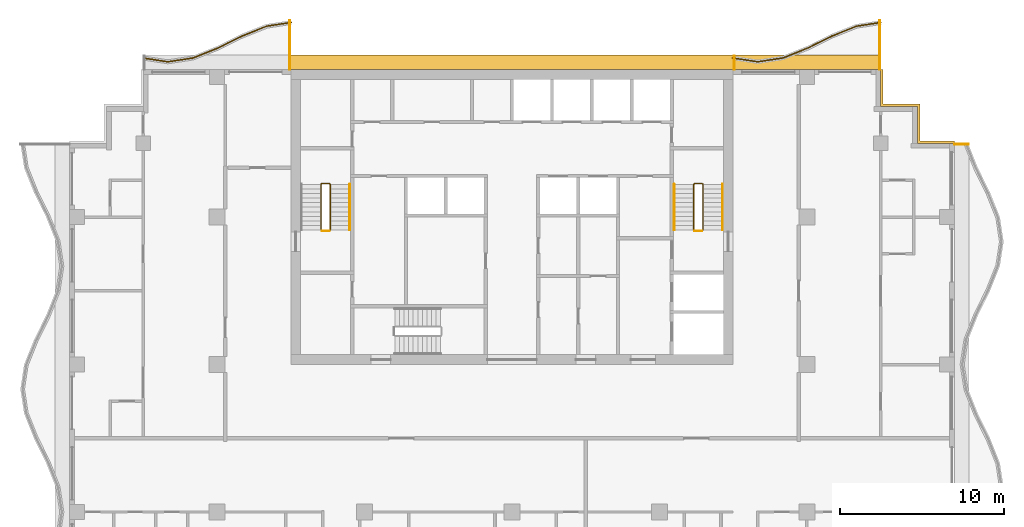
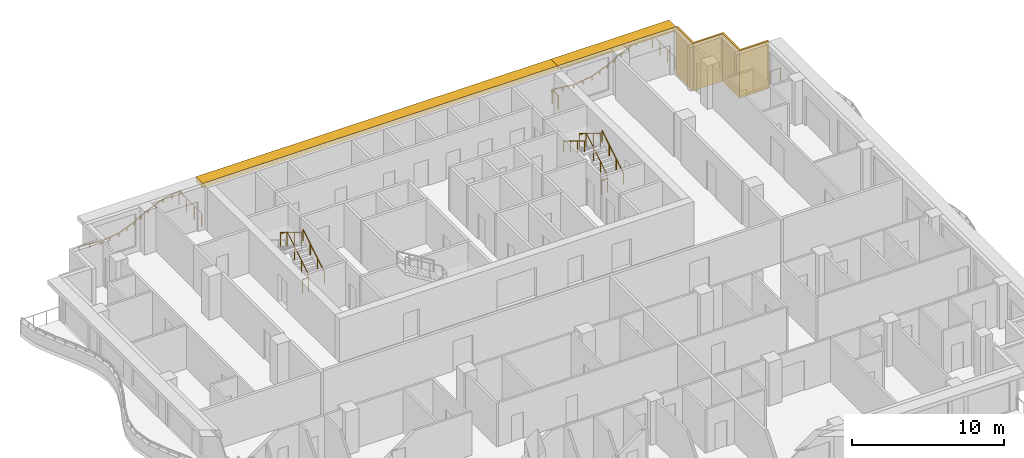
# One storey, part 11 of 11: 13 railings, 3 shading devices.
"""IFC4 building model written with IfcOpenShell, lengths in metres."""

import ifcopenshell
import ifcopenshell.guid

model = None  # the IFC model being written
_history = None  # IfcOwnerHistory: only IFC2X3 demands one
_inside = {}  # id of a spatial element -> (the spatial element, [elements in it])
_under = {}  # id of a project, library or spatial element -> (it, [spatial elements below it])
_declared = {}  # id of a project -> (the project, [libraries it declares])
_typed = {}  # id of a type object -> (the type object, [elements of that type])
_made_of = {}  # id of a material, layer set ... -> (it, [elements and type objects made of it])


def new_model(schema):
    """Start an empty IFC model of exactly this schema.

    Asked for "IFC4X3", IfcOpenShell would pick the latest addendum, in which some entities
    have other attributes; the version numbers below select the first issue.
    IFC2X3 requires an IfcOwnerHistory on every rooted entity: one is made here for all.
    """
    global model, _history
    if schema == "IFC4X3":
        model = ifcopenshell.file(schema_version=(4, 3, 0, 0))
    else:
        model = ifcopenshell.file(schema=schema)
    _inside.clear()
    _under.clear()
    _declared.clear()
    _typed.clear()
    _made_of.clear()
    _history = None
    if model.schema == "IFC2X3":
        org = make("IfcOrganization", Name="unknown")
        user = make(
            "IfcPersonAndOrganization",
            ThePerson=make("IfcPerson", FamilyName="unknown"),
            TheOrganization=org,
        )
        app = make(
            "IfcApplication",
            ApplicationDeveloper=org,
            Version="unknown",
            ApplicationFullName="unknown",
            ApplicationIdentifier="unknown",
        )
        _history = make(
            "IfcOwnerHistory",
            OwningUser=user,
            OwningApplication=app,
            ChangeAction="ADDED",
            CreationDate=0,
        )
    return model


def make(cls, **values):
    """One entity of the class cls with the attributes given. An attribute that is None is left unset."""
    return model.create_entity(
        cls, **{name: value for name, value in values.items() if value is not None}
    )


def rooted(cls, **values):
    """An entity with a GlobalId (a new one), such as an element, a storey or a relation."""
    return make(cls, GlobalId=ifcopenshell.guid.new(), OwnerHistory=_history, **values)


def si_unit(unit_type, name, prefix=None):
    """IfcSIUnit, for example si_unit("LENGTHUNIT", "METRE", prefix="MILLI")."""
    return make("IfcSIUnit", UnitType=unit_type, Prefix=prefix, Name=name)


def assignment(units):
    """IfcUnitAssignment: the units of a project."""
    return None if units is None else make("IfcUnitAssignment", Units=units)


def point(xyz):
    """IfcCartesianPoint."""
    return None if xyz is None else make("IfcCartesianPoint", Coordinates=xyz)


def direction(xyz):
    """IfcDirection."""
    return None if xyz is None else make("IfcDirection", DirectionRatios=xyz)


def frame(location, z_axis=None, x_axis=None):
    """IfcAxis2Placement3D, a coordinate frame: its origin and axes. An axis left out is left unset."""
    return make(
        "IfcAxis2Placement3D",
        Location=point(location),
        Axis=direction(z_axis),
        RefDirection=direction(x_axis),
    )


def frame_2d(location, x_axis=None):
    """IfcAxis2Placement2D, a coordinate frame in the plane: its origin and x axis."""
    return make(
        "IfcAxis2Placement2D", Location=point(location), RefDirection=direction(x_axis)
    )


def origin():
    """The frame at (0, 0, 0) with its axes left unset."""
    return frame((0.0, 0.0, 0.0))


def origin_2d():
    """The frame at (0, 0) in the plane with its x axis left unset."""
    return frame_2d((0.0, 0.0))


def place(relative_to, where):
    """IfcLocalPlacement: puts the frame where relative to a parent placement (None: the world)."""
    return make(
        "IfcLocalPlacement", PlacementRelTo=relative_to, RelativePlacement=where
    )


def context(
    kind, dimensions, precision=None, world=None, true_north=None, identifier=None
):
    """IfcGeometricRepresentationContext, for example the 3D "Model" context."""
    return make(
        "IfcGeometricRepresentationContext",
        ContextIdentifier=identifier,
        ContextType=kind,
        CoordinateSpaceDimension=dimensions,
        Precision=precision,
        WorldCoordinateSystem=world,
        TrueNorth=true_north,
    )


def subcontext(parent, identifier, kind, view, scale=None):
    """IfcGeometricRepresentationSubContext, for example "Body" below "Model"."""
    return make(
        "IfcGeometricRepresentationSubContext",
        ContextIdentifier=identifier,
        ContextType=kind,
        ParentContext=parent,
        TargetScale=scale,
        TargetView=view,
    )


def project(units=None, contexts=None):
    """IfcProject with its units and contexts."""
    return rooted(
        "IfcProject",
        Name="project",
        RepresentationContexts=contexts,
        UnitsInContext=assignment(units),
    )


def spatial(cls, under=None, at=None, **own):
    """A site, building, storey or space (cls), placed at a placement, below another one or the project."""
    s = rooted(cls, ObjectPlacement=at, **own)
    if under is not None:
        _under.setdefault(under.id(), (under, []))[1].append(s)
    return s


def polyline(points):
    """IfcPolyline through the points."""
    return make("IfcPolyline", Points=[point(p) for p in points])


def profile(cls, at=None, kind="AREA", **sizes):
    """A parametric profile (cls). Its sizes go by their IFC names, for example OverallWidth=200.0."""
    return make(cls, ProfileType=kind, Position=at, **sizes)


def rectangle(**sizes):
    """IfcRectangleProfileDef."""
    return profile("IfcRectangleProfileDef", **sizes)


def circle(**sizes):
    """IfcCircleProfileDef."""
    return profile("IfcCircleProfileDef", **sizes)


def outline(outer, holes=None, kind="AREA"):
    """IfcArbitraryClosedProfileDef: a profile drawn as a closed curve; with holes, ...WithVoids."""
    if holes is None:
        return make("IfcArbitraryClosedProfileDef", ProfileType=kind, OuterCurve=outer)
    return make(
        "IfcArbitraryProfileDefWithVoids",
        ProfileType=kind,
        OuterCurve=outer,
        InnerCurves=holes,
    )


def extrude(swept, where, along, depth):
    """IfcExtrudedAreaSolid: the profile swept, set in the frame where, extruded along a direction by depth."""
    return make(
        "IfcExtrudedAreaSolid",
        SweptArea=swept,
        Position=where,
        ExtrudedDirection=direction(along),
        Depth=depth,
    )


def shape(context_of_items, identifier, shape_type, items):
    """IfcShapeRepresentation: the items that make up one representation, for example the "Body"."""
    return make(
        "IfcShapeRepresentation",
        ContextOfItems=context_of_items,
        RepresentationIdentifier=identifier,
        RepresentationType=shape_type,
        Items=items,
    )


def material(Name=None, Category=None):
    """IfcMaterial."""
    return make("IfcMaterial", Name=Name, Category=Category)


def layer(
    of_material, thickness, ventilated=None, Name=None, Category=None, Priority=None
):
    """IfcMaterialLayer: one layer of a wall or slab, of a material (None: an air gap)."""
    return make(
        "IfcMaterialLayer",
        Material=of_material,
        LayerThickness=thickness,
        IsVentilated=ventilated,
        Name=Name,
        Category=Category,
        Priority=Priority,
    )


def layer_set(layers, Name=None):
    """IfcMaterialLayerSet."""
    return make("IfcMaterialLayerSet", MaterialLayers=layers, LayerSetName=Name)


def made_of(thing, what):
    """Note that an element or type object is made of a material, layer set ...; save() writes the relation."""
    if what is not None:
        _made_of.setdefault(what.id(), (what, []))[1].append(thing)
    return thing


def type_object(cls, material=None, **own):
    """A type object (cls), such as IfcWallType, which elements share."""
    return made_of(rooted(cls, **own), material)


def element(
    cls,
    number,
    at=None,
    inside=None,
    cuts=None,
    type_object=None,
    material=None,
    context=None,
    identifier="Body",
    shape_type=None,
    held_by="IfcProductDefinitionShape",
    body=None,
    shapes=None,
    **own,
):
    """One element of the class cls, such as IfcWall. Its Tag is "e" and its number.

    at: its placement. inside: the storey or other place that contains it. cuts: it is an
    opening in that element (IfcRelVoidsElement). A single representation is given by context,
    identifier, shape_type and body (its items); several are given by shapes. held_by: the class
    of the entity that holds the representations. save() writes the other relations.
    """
    e = rooted(cls, Tag="e%d" % number, ObjectPlacement=at, **own)
    if body is not None:
        shapes = [shape(context, identifier, shape_type, body)]
    if shapes is not None:
        e.Representation = make(held_by, Representations=shapes)
    if inside is not None:
        _inside.setdefault(inside.id(), (inside, []))[1].append(e)
    if cuts is not None:
        rooted(
            "IfcRelVoidsElement", RelatingBuildingElement=cuts, RelatedOpeningElement=e
        )
    if type_object is not None:
        _typed.setdefault(type_object.id(), (type_object, []))[1].append(e)
    return made_of(e, material)


def aggregate(whole, parts):
    """IfcRelAggregates: a whole, such as a stair, and the parts it consists of."""
    return rooted("IfcRelAggregates", RelatingObject=whole, RelatedObjects=parts)


def save(model, path):
    """Write the relations noted so far, then the file.

    IfcRelAggregates (storeys below a building ...), IfcRelContainedInSpatialStructure (elements
    in a storey), IfcRelDefinesByType, IfcRelAssociatesMaterial and IfcRelDeclares: one each for
    every whole, place, type object, material and project.
    """
    for whole, parts in _under.values():
        aggregate(whole, parts)
    for where, things in _inside.values():
        rooted(
            "IfcRelContainedInSpatialStructure",
            RelatedElements=things,
            RelatingStructure=where,
        )
    for kind, things in _typed.values():
        rooted("IfcRelDefinesByType", RelatedObjects=things, RelatingType=kind)
    for what, things in _made_of.values():
        rooted("IfcRelAssociatesMaterial", RelatedObjects=things, RelatingMaterial=what)
    for by, libraries in _declared.values():
        rooted("IfcRelDeclares", RelatingContext=by, RelatedDefinitions=libraries)
    model.write(path)


model = new_model("IFC4")

# Units and contexts
model_context = context("Model", 3, precision=1e-05, world=origin(), true_north=direction((0.0, 1.0)))
body_context = subcontext(model_context, "Body", "Model", "MODEL_VIEW")
ifc_project = project(units=[si_unit("LENGTHUNIT", "METRE"), si_unit("AREAUNIT", "SQUARE_METRE"), si_unit("VOLUMEUNIT", "CUBIC_METRE"), si_unit("PLANEANGLEUNIT", "RADIAN"), si_unit("MASSUNIT", "GRAM", prefix="KILO")], contexts=[model_context])

# Site, building, storey
site_placement = place(None, origin())
site = spatial("IfcSite", under=ifc_project, at=site_placement, CompositionType="ELEMENT")
building_placement = place(site_placement, origin())
building = spatial("IfcBuilding", under=site, at=building_placement, Name="Orbiselva Terraces", CompositionType="ELEMENT")
storey_placement = place(building_placement, frame((0.0, 0.0, 250.2)))
storey = spatial("IfcBuildingStorey", under=building, at=storey_placement, Name="L63", CompositionType="ELEMENT", Elevation=250.2)

# Railings
ifc_material_1 = material(Name="Stainless steel", Category="steel")
railing_type_1 = type_object("IfcRailingType", Name="CORE-GUARD-1100", PredefinedType="GUARDRAIL", material=ifc_material_1)
railing_1_placement = place(storey_placement, frame((-11.1, 12.7, 0.172727)))
element("IfcRailing", 1, at=railing_1_placement, inside=storey, type_object=railing_type_1, Name="L63 S1 stair guard 1", PredefinedType="GUARDRAIL", context=body_context, shape_type="SweptSolid", body=[
    extrude(circle(Radius=0.024, at=origin_2d()), frame((0.0, 0.0, 1.081), z_axis=(0.0, 0.851088519012, 0.52502222125), x_axis=(-1.0, 0.0, 0.0)), (0.0, 0.0, 1.0), 3.289905),
    extrude(circle(Radius=0.024, at=origin_2d()), frame((0.0, 2.8, 2.808273), z_axis=(-0.707106781187, 0.707106781187, 0.0), x_axis=(-0.707106781187, -0.707106781187, 0.0)), (0.0, 0.0, 1.0), 0.070711),
    extrude(circle(Radius=0.024, at=origin_2d()), frame((-0.05, 2.85, 2.808273), z_axis=(-1.0, 0.0, 0.0), x_axis=(0.0, -1.0, 0.0)), (0.0, 0.0, 1.0), 0.45),
    extrude(circle(Radius=0.024, at=origin_2d()), frame((-0.5, 2.85, 2.808273), z_axis=(-0.267894925557, -0.267894925557, 0.925453736133), x_axis=(0.707106781187, -0.707106781187, 0.0)), (0.0, 0.0, 1.0), 0.18664),
    extrude(circle(Radius=0.024, at=origin_2d()), frame((-0.55, 2.8, 2.981), z_axis=(0.0, -0.851088519012, 0.52502222125), x_axis=(1.0, 0.0, 0.0)), (0.0, 0.0, 1.0), 3.289905),
    extrude(circle(Radius=0.021, at=origin_2d()), origin(), (0.0, 0.0, 1.0), 1.057),
    extrude(circle(Radius=0.021, at=origin_2d()), frame((0.0, 0.933333, 0.575758)), (0.0, 0.0, 1.0), 1.057),
    extrude(circle(Radius=0.021, at=origin_2d()), frame((0.0, 1.866667, 1.151515)), (0.0, 0.0, 1.0), 1.057),
    extrude(circle(Radius=0.021, at=origin_2d()), frame((0.0, 2.8, 1.727273)), (0.0, 0.0, 1.0), 1.057),
    extrude(circle(Radius=0.021, at=origin_2d()), frame((-0.05, 2.85, 1.727273)), (0.0, 0.0, 1.0), 1.057),
    extrude(circle(Radius=0.021, at=origin_2d()), frame((-0.5, 2.85, 1.727273)), (0.0, 0.0, 1.0), 1.057),
    extrude(circle(Radius=0.021, at=origin_2d()), frame((-0.55, 2.8, 1.9)), (0.0, 0.0, 1.0), 1.057),
    extrude(circle(Radius=0.021, at=origin_2d()), frame((-0.55, 1.866667, 2.475758)), (0.0, 0.0, 1.0), 1.057),
    extrude(circle(Radius=0.021, at=origin_2d()), frame((-0.55, 0.933333, 3.051515)), (0.0, 0.0, 1.0), 1.057),
    extrude(circle(Radius=0.021, at=origin_2d()), frame((-0.55, 0.0, 3.627273)), (0.0, 0.0, 1.0), 1.057),
])
railing_2_placement = place(storey_placement, frame((-11.15, 12.65, 0.0)))
element("IfcRailing", 2, at=railing_2_placement, inside=storey, type_object=railing_type_1, Name="L63 S1 stair guard 2", PredefinedType="GUARDRAIL", context=body_context, shape_type="SweptSolid", body=[
    extrude(circle(Radius=0.024, at=origin_2d()), frame((0.0, 0.0, 1.081), z_axis=(-1.0, 0.0, 0.0), x_axis=(0.0, -1.0, 0.0)), (0.0, 0.0, 1.0), 0.45),
    extrude(circle(Radius=0.021, at=origin_2d()), origin(), (0.0, 0.0, 1.0), 1.057),
    extrude(circle(Radius=0.021, at=origin_2d()), frame((-0.45, 0.0, 0.0)), (0.0, 0.0, 1.0), 1.057),
])
railing_3_placement = place(storey_placement, frame((11.65, 12.7, 0.172727)))
element("IfcRailing", 3, at=railing_3_placement, inside=storey, type_object=railing_type_1, Name="L63 S2 stair guard 1", PredefinedType="GUARDRAIL", context=body_context, shape_type="SweptSolid", body=[
    extrude(circle(Radius=0.024, at=origin_2d()), frame((0.0, 0.0, 1.081), z_axis=(0.0, 0.851088519012, 0.52502222125), x_axis=(-1.0, 0.0, 0.0)), (0.0, 0.0, 1.0), 3.289905),
    extrude(circle(Radius=0.024, at=origin_2d()), frame((0.0, 2.8, 2.808273), z_axis=(-0.707106781187, 0.707106781187, 0.0), x_axis=(-0.707106781187, -0.707106781187, 0.0)), (0.0, 0.0, 1.0), 0.070711),
    extrude(circle(Radius=0.024, at=origin_2d()), frame((-0.05, 2.85, 2.808273), z_axis=(-1.0, 0.0, 0.0), x_axis=(0.0, -1.0, 0.0)), (0.0, 0.0, 1.0), 0.45),
    extrude(circle(Radius=0.024, at=origin_2d()), frame((-0.5, 2.85, 2.808273), z_axis=(-0.267894925557, -0.267894925557, 0.925453736133), x_axis=(0.707106781187, -0.707106781187, 0.0)), (0.0, 0.0, 1.0), 0.18664),
    extrude(circle(Radius=0.024, at=origin_2d()), frame((-0.55, 2.8, 2.981), z_axis=(0.0, -0.851088519012, 0.52502222125), x_axis=(1.0, 0.0, 0.0)), (0.0, 0.0, 1.0), 3.289905),
    extrude(circle(Radius=0.021, at=origin_2d()), origin(), (0.0, 0.0, 1.0), 1.057),
    extrude(circle(Radius=0.021, at=origin_2d()), frame((0.0, 0.933333, 0.575758)), (0.0, 0.0, 1.0), 1.057),
    extrude(circle(Radius=0.021, at=origin_2d()), frame((0.0, 1.866667, 1.151515)), (0.0, 0.0, 1.0), 1.057),
    extrude(circle(Radius=0.021, at=origin_2d()), frame((0.0, 2.8, 1.727273)), (0.0, 0.0, 1.0), 1.057),
    extrude(circle(Radius=0.021, at=origin_2d()), frame((-0.05, 2.85, 1.727273)), (0.0, 0.0, 1.0), 1.057),
    extrude(circle(Radius=0.021, at=origin_2d()), frame((-0.5, 2.85, 1.727273)), (0.0, 0.0, 1.0), 1.057),
    extrude(circle(Radius=0.021, at=origin_2d()), frame((-0.55, 2.8, 1.9)), (0.0, 0.0, 1.0), 1.057),
    extrude(circle(Radius=0.021, at=origin_2d()), frame((-0.55, 1.866667, 2.475758)), (0.0, 0.0, 1.0), 1.057),
    extrude(circle(Radius=0.021, at=origin_2d()), frame((-0.55, 0.933333, 3.051515)), (0.0, 0.0, 1.0), 1.057),
    extrude(circle(Radius=0.021, at=origin_2d()), frame((-0.55, 0.0, 3.627273)), (0.0, 0.0, 1.0), 1.057),
])
railing_4_placement = place(storey_placement, frame((11.6, 12.65, 0.0)))
element("IfcRailing", 4, at=railing_4_placement, inside=storey, type_object=railing_type_1, Name="L63 S2 stair guard 2", PredefinedType="GUARDRAIL", context=body_context, shape_type="SweptSolid", body=[
    extrude(circle(Radius=0.024, at=origin_2d()), frame((0.0, 0.0, 1.081), z_axis=(-1.0, 0.0, 0.0), x_axis=(0.0, -1.0, 0.0)), (0.0, 0.0, 1.0), 0.45),
    extrude(circle(Radius=0.021, at=origin_2d()), origin(), (0.0, 0.0, 1.0), 1.057),
    extrude(circle(Radius=0.021, at=origin_2d()), frame((-0.45, 0.0, 0.0)), (0.0, 0.0, 1.0), 1.057),
])
railing_type_2 = type_object("IfcRailingType", Name="CORE-HANDRAIL-900", PredefinedType="HANDRAIL", material=ifc_material_1)
for number, where, name in (
    (5, (-9.9, 12.7, 0.172727), "L63 S1 stair handrail 1"),
    (6, (12.85, 12.7, 0.172727), "L63 S2 stair handrail 1"),
):
    element("IfcRailing", number, at=place(storey_placement, frame(where)), inside=storey, type_object=railing_type_2, Name=name, PredefinedType="HANDRAIL", context=body_context, shape_type="SweptSolid", body=[
        extrude(circle(Radius=0.024, at=origin_2d()), frame((0.0, 0.0, 0.876), z_axis=(0.0, 0.851088519012, 0.52502222125), x_axis=(-1.0, 0.0, 0.0)), (0.0, 0.0, 1.0), 3.289905),
        extrude(circle(Radius=0.021, at=origin_2d()), origin(), (0.0, 0.0, 1.0), 0.852),
        extrude(circle(Radius=0.021, at=origin_2d()), frame((0.0, 0.933333, 0.575758)), (0.0, 0.0, 1.0), 0.852),
        extrude(circle(Radius=0.021, at=origin_2d()), frame((0.0, 1.866667, 1.151515)), (0.0, 0.0, 1.0), 0.852),
        extrude(circle(Radius=0.021, at=origin_2d()), frame((0.0, 2.8, 1.727273)), (0.0, 0.0, 1.0), 0.852),
    ])
railing_5_placement = place(storey_placement, frame((9.9, 15.5, 2.072727)))
element("IfcRailing", 7, at=railing_5_placement, inside=storey, type_object=railing_type_2, Name="L63 S2 stair handrail 2", PredefinedType="HANDRAIL", context=body_context, shape_type="SweptSolid", body=[
    extrude(circle(Radius=0.024, at=origin_2d()), frame((0.0, 0.0, 0.876), z_axis=(0.0, -0.851088519012, 0.52502222125), x_axis=(1.0, 0.0, 0.0)), (0.0, 0.0, 1.0), 3.289905),
    extrude(circle(Radius=0.021, at=origin_2d()), origin(), (0.0, 0.0, 1.0), 0.852),
    extrude(circle(Radius=0.021, at=origin_2d()), frame((0.0, -0.933333, 0.575758)), (0.0, 0.0, 1.0), 0.852),
    extrude(circle(Radius=0.021, at=origin_2d()), frame((0.0, -1.866667, 1.151515)), (0.0, 0.0, 1.0), 0.852),
    extrude(circle(Radius=0.021, at=origin_2d()), frame((0.0, -2.8, 1.727273)), (0.0, 0.0, 1.0), 0.852),
])
ifc_material_2 = material(Name="Bonded two-ply safety glass balustrade, stainless steel posts", Category="steel")
railing_type_3 = type_object("IfcRailingType", Name="ENV-BALUSTRADE-1200", PredefinedType="BALUSTRADE", material=ifc_material_2)
railing_6_placement = place(storey_placement, frame((22.518879, 25.376434, 0.9)))
element("IfcRailing", 8, at=railing_6_placement, inside=storey, type_object=railing_type_3, Name="Balcony balustrade L63 NE", PredefinedType="BALUSTRADE", context=body_context, shape_type="SweptSolid", body=[
    extrude(outline(polyline([(0.028868, 0.0), (0.014434, 0.025), (-0.014434, 0.025), (-0.028868, 0.0), (-0.014434, -0.025), (0.014434, -0.025), (0.028868, 0.0)])), frame((0.0, 0.0, 0.275), z_axis=(-0.988528552748, -0.151034103443, 0.0), x_axis=(0.151034103443, -0.988528552748, 0.0)), (0.0, 0.0, 1.0), 1.503038),
    extrude(outline(polyline([(0.028868, 0.0), (0.014434, 0.025), (-0.014434, 0.025), (-0.028868, 0.0), (-0.014434, -0.025), (0.014434, -0.025), (0.028868, 0.0)])), frame((-1.485796, -0.22701, 0.275), z_axis=(-0.928476561272, -0.371391000387, 0.0), x_axis=(0.371391000387, -0.928476561272, 0.0)), (0.0, 0.0, 1.0), 1.596261),
    extrude(outline(polyline([(0.028868, 0.0), (0.014434, 0.025), (-0.014434, 0.025), (-0.028868, 0.0), (-0.014434, -0.025), (0.014434, -0.025), (0.028868, 0.0)])), frame((-2.967887, -0.819847, 0.275), z_axis=(-0.896416672454, -0.443212307306, 0.0), x_axis=(0.443212307306, -0.896416672454, 0.0)), (0.0, 0.0, 1.0), 1.673329),
    extrude(outline(polyline([(0.028868, 0.0), (0.014434, 0.025), (-0.014434, 0.025), (-0.028868, 0.0), (-0.014434, -0.025), (0.014434, -0.025), (0.028868, 0.0)])), frame((-4.467887, -1.561487, 0.275), z_axis=(-0.92847681744, -0.371390359967, 0.0), x_axis=(0.371390359967, -0.92847681744, 0.0)), (0.0, 0.0, 1.0), 1.634838),
    extrude(outline(polyline([(0.028868, 0.0), (0.014434, 0.025), (-0.014434, 0.025), (-0.028868, 0.0), (-0.014434, -0.025), (0.014434, -0.025), (0.028868, 0.0)])), frame((-5.985796, -2.16865, 0.275), z_axis=(-0.988528536275, -0.151034211256, 0.0), x_axis=(0.151034211256, -0.988528536275, 0.0)), (0.0, 0.0, 1.0), 1.550874),
    extrude(outline(polyline([(0.028868, 0.0), (0.014434, 0.025), (-0.014434, 0.025), (-0.028868, 0.0), (-0.014434, -0.025), (0.014434, -0.025), (0.028868, 0.0)])), frame((-7.518879, -2.402885, 0.275), z_axis=(-0.988528518286, 0.151034328999, 0.0), x_axis=(-0.151034328999, -0.988528518286, 0.0)), (0.0, 0.0, 1.0), 1.536505),
    extrude(rectangle(XDim=0.05, YDim=0.05, at=origin_2d()), origin(), (0.0, 0.0, 1.0), 0.25),
    extrude(rectangle(XDim=0.05, YDim=0.05, at=origin_2d()), frame((-0.742898, -0.113505, 0.0)), (0.0, 0.0, 1.0), 0.25),
    extrude(rectangle(XDim=0.05, YDim=0.05, at=origin_2d()), frame((-1.485796, -0.22701, 0.0)), (0.0, 0.0, 1.0), 0.25),
    extrude(rectangle(XDim=0.05, YDim=0.05, at=origin_2d()), frame((-2.226841, -0.523428, 0.0)), (0.0, 0.0, 1.0), 0.25),
    extrude(rectangle(XDim=0.05, YDim=0.05, at=origin_2d()), frame((-2.967887, -0.819847, 0.0)), (0.0, 0.0, 1.0), 0.25),
    extrude(rectangle(XDim=0.05, YDim=0.05, at=origin_2d()), frame((-3.717887, -1.190667, 0.0)), (0.0, 0.0, 1.0), 0.25),
    extrude(rectangle(XDim=0.05, YDim=0.05, at=origin_2d()), frame((-4.467887, -1.561487, 0.0)), (0.0, 0.0, 1.0), 0.25),
    extrude(rectangle(XDim=0.05, YDim=0.05, at=origin_2d()), frame((-5.226841, -1.865068, 0.0)), (0.0, 0.0, 1.0), 0.25),
    extrude(rectangle(XDim=0.05, YDim=0.05, at=origin_2d()), frame((-5.985796, -2.16865, 0.0)), (0.0, 0.0, 1.0), 0.25),
    extrude(rectangle(XDim=0.05, YDim=0.05, at=origin_2d()), frame((-6.752337, -2.285768, 0.0)), (0.0, 0.0, 1.0), 0.25),
    extrude(rectangle(XDim=0.05, YDim=0.05, at=origin_2d()), frame((-7.518879, -2.402885, 0.0)), (0.0, 0.0, 1.0), 0.25),
    extrude(rectangle(XDim=0.05, YDim=0.05, at=origin_2d()), frame((-8.278318, -2.286852, 0.0)), (0.0, 0.0, 1.0), 0.25),
    extrude(rectangle(XDim=0.05, YDim=0.05, at=origin_2d()), frame((-9.037758, -2.17082, 0.0)), (0.0, 0.0, 1.0), 0.25),
])
railing_7_placement = place(storey_placement, frame((-13.481121, 25.376434, 0.9)))
element("IfcRailing", 9, at=railing_7_placement, inside=storey, type_object=railing_type_3, Name="Balcony balustrade L63 NW", PredefinedType="BALUSTRADE", context=body_context, shape_type="SweptSolid", body=[
    extrude(outline(polyline([(0.028868, 0.0), (0.014434, 0.025), (-0.014434, 0.025), (-0.028868, 0.0), (-0.014434, -0.025), (0.014434, -0.025), (0.028868, 0.0)])), frame((0.0, 0.0, 0.275), z_axis=(-0.988528552748, -0.151034103443, 0.0), x_axis=(0.151034103443, -0.988528552748, 0.0)), (0.0, 0.0, 1.0), 1.503038),
    extrude(outline(polyline([(0.028868, 0.0), (0.014434, 0.025), (-0.014434, 0.025), (-0.028868, 0.0), (-0.014434, -0.025), (0.014434, -0.025), (0.028868, 0.0)])), frame((-1.485796, -0.22701, 0.275), z_axis=(-0.928476561272, -0.371391000387, 0.0), x_axis=(0.371391000387, -0.928476561272, 0.0)), (0.0, 0.0, 1.0), 1.596261),
    extrude(outline(polyline([(0.028868, 0.0), (0.014434, 0.025), (-0.014434, 0.025), (-0.028868, 0.0), (-0.014434, -0.025), (0.014434, -0.025), (0.028868, 0.0)])), frame((-2.967887, -0.819847, 0.275), z_axis=(-0.896416672454, -0.443212307306, 0.0), x_axis=(0.443212307306, -0.896416672454, 0.0)), (0.0, 0.0, 1.0), 1.673329),
    extrude(outline(polyline([(0.028868, 0.0), (0.014434, 0.025), (-0.014434, 0.025), (-0.028868, 0.0), (-0.014434, -0.025), (0.014434, -0.025), (0.028868, 0.0)])), frame((-4.467887, -1.561487, 0.275), z_axis=(-0.92847681744, -0.371390359967, 0.0), x_axis=(0.371390359967, -0.92847681744, 0.0)), (0.0, 0.0, 1.0), 1.634838),
    extrude(outline(polyline([(0.028868, 0.0), (0.014434, 0.025), (-0.014434, 0.025), (-0.028868, 0.0), (-0.014434, -0.025), (0.014434, -0.025), (0.028868, 0.0)])), frame((-5.985796, -2.16865, 0.275), z_axis=(-0.988528536275, -0.151034211256, 0.0), x_axis=(0.151034211256, -0.988528536275, 0.0)), (0.0, 0.0, 1.0), 1.550874),
    extrude(outline(polyline([(0.028868, 0.0), (0.014434, 0.025), (-0.014434, 0.025), (-0.028868, 0.0), (-0.014434, -0.025), (0.014434, -0.025), (0.028868, 0.0)])), frame((-7.518879, -2.402885, 0.275), z_axis=(-0.988528518286, 0.151034328999, 0.0), x_axis=(-0.151034328999, -0.988528518286, 0.0)), (0.0, 0.0, 1.0), 1.536505),
    extrude(rectangle(XDim=0.05, YDim=0.05, at=origin_2d()), origin(), (0.0, 0.0, 1.0), 0.25),
    extrude(rectangle(XDim=0.05, YDim=0.05, at=origin_2d()), frame((-0.742898, -0.113505, 0.0)), (0.0, 0.0, 1.0), 0.25),
    extrude(rectangle(XDim=0.05, YDim=0.05, at=origin_2d()), frame((-1.485796, -0.22701, 0.0)), (0.0, 0.0, 1.0), 0.25),
    extrude(rectangle(XDim=0.05, YDim=0.05, at=origin_2d()), frame((-2.226842, -0.523428, 0.0)), (0.0, 0.0, 1.0), 0.25),
    extrude(rectangle(XDim=0.05, YDim=0.05, at=origin_2d()), frame((-2.967887, -0.819847, 0.0)), (0.0, 0.0, 1.0), 0.25),
    extrude(rectangle(XDim=0.05, YDim=0.05, at=origin_2d()), frame((-3.717887, -1.190667, 0.0)), (0.0, 0.0, 1.0), 0.25),
    extrude(rectangle(XDim=0.05, YDim=0.05, at=origin_2d()), frame((-4.467887, -1.561487, 0.0)), (0.0, 0.0, 1.0), 0.25),
    extrude(rectangle(XDim=0.05, YDim=0.05, at=origin_2d()), frame((-5.226841, -1.865068, 0.0)), (0.0, 0.0, 1.0), 0.25),
    extrude(rectangle(XDim=0.05, YDim=0.05, at=origin_2d()), frame((-5.985796, -2.16865, 0.0)), (0.0, 0.0, 1.0), 0.25),
    extrude(rectangle(XDim=0.05, YDim=0.05, at=origin_2d()), frame((-6.752337, -2.285768, 0.0)), (0.0, 0.0, 1.0), 0.25),
    extrude(rectangle(XDim=0.05, YDim=0.05, at=origin_2d()), frame((-7.518879, -2.402885, 0.0)), (0.0, 0.0, 1.0), 0.25),
    extrude(rectangle(XDim=0.05, YDim=0.05, at=origin_2d()), frame((-8.278318, -2.286852, 0.0)), (0.0, 0.0, 1.0), 0.25),
    extrude(rectangle(XDim=0.05, YDim=0.05, at=origin_2d()), frame((-9.037758, -2.17082, 0.0)), (0.0, 0.0, 1.0), 0.25),
])
ifc_material_3 = material(Name="Stainless steel rail and posts", Category="steel")
railing_type_4 = type_object("IfcRailingType", Name="ENV-GUARD-1105", PredefinedType="BALUSTRADE", material=ifc_material_3)
railing_8_placement = place(storey_placement, frame((27.847212, 17.94, 0.0)))
element("IfcRailing", 10, at=railing_8_placement, inside=storey, type_object=railing_type_4, Name="Balcony end guard L63 E", PredefinedType="BALUSTRADE", context=body_context, shape_type="SweptSolid", body=[
    extrude(outline(polyline([(0.028868, 0.0), (0.014434, 0.025), (-0.014434, 0.025), (-0.028868, 0.0), (-0.014434, -0.025), (0.014434, -0.025), (0.028868, 0.0)])), frame((0.0, 0.0, 1.08), z_axis=(-1.0, 0.0, 0.0), x_axis=(0.0, -1.0, 0.0)), (0.0, 0.0, 1.0), 0.822212),
    extrude(rectangle(XDim=0.05, YDim=0.05, at=origin_2d()), origin(), (0.0, 0.0, 1.0), 1.055),
    extrude(rectangle(XDim=0.05, YDim=0.05, at=origin_2d()), frame((-0.822212, 0.0, 0.0)), (0.0, 0.0, 1.0), 1.055),
])
railing_9_placement = place(storey_placement, frame((22.44, 25.499621, 0.0)))
element("IfcRailing", 11, at=railing_9_placement, inside=storey, type_object=railing_type_4, Name="Balcony end guard L63 NE", PredefinedType="BALUSTRADE", context=body_context, shape_type="SweptSolid", body=[
    extrude(outline(polyline([(0.028868, 0.0), (0.014434, 0.025), (-0.014434, 0.025), (-0.028868, 0.0), (-0.014434, -0.025), (0.014434, -0.025), (0.028868, 0.0)])), frame((0.0, 0.0, 1.08), z_axis=(0.0, -1.0, 0.0), x_axis=(1.0, 0.0, 0.0)), (0.0, 0.0, 1.0), 2.974621),
    extrude(rectangle(XDim=0.05, YDim=0.05, at=origin_2d()), origin(), (0.0, 0.0, 1.0), 1.055),
    extrude(rectangle(XDim=0.05, YDim=0.05, at=origin_2d()), frame((0.0, -0.99154, 0.0)), (0.0, 0.0, 1.0), 1.055),
    extrude(rectangle(XDim=0.05, YDim=0.05, at=origin_2d()), frame((0.0, -1.983081, 0.0)), (0.0, 0.0, 1.0), 1.055),
    extrude(rectangle(XDim=0.05, YDim=0.05, at=origin_2d()), frame((0.0, -2.974621, 0.0)), (0.0, 0.0, 1.0), 1.055),
])
railing_10_placement = place(storey_placement, frame((13.56, 23.311761, 0.0)))
element("IfcRailing", 12, at=railing_10_placement, inside=storey, type_object=railing_type_4, Name="Balcony end guard L63 NE", PredefinedType="BALUSTRADE", context=body_context, shape_type="SweptSolid", body=[
    extrude(outline(polyline([(0.028868, 0.0), (0.014434, 0.025), (-0.014434, 0.025), (-0.028868, 0.0), (-0.014434, -0.025), (0.014434, -0.025), (0.028868, 0.0)])), frame((0.0, 0.0, 1.08), z_axis=(0.0, -1.0, 0.0), x_axis=(1.0, 0.0, 0.0)), (0.0, 0.0, 1.0), 0.786761),
    extrude(rectangle(XDim=0.05, YDim=0.05, at=origin_2d()), origin(), (0.0, 0.0, 1.0), 1.055),
    extrude(rectangle(XDim=0.05, YDim=0.05, at=origin_2d()), frame((0.0, -0.786761, 0.0)), (0.0, 0.0, 1.0), 1.055),
])
railing_11_placement = place(storey_placement, frame((-13.56, 25.499621, 0.0)))
element("IfcRailing", 13, at=railing_11_placement, inside=storey, type_object=railing_type_4, Name="Balcony end guard L63 NW", PredefinedType="BALUSTRADE", context=body_context, shape_type="SweptSolid", body=[
    extrude(outline(polyline([(0.028868, 0.0), (0.014434, 0.025), (-0.014434, 0.025), (-0.028868, 0.0), (-0.014434, -0.025), (0.014434, -0.025), (0.028868, 0.0)])), frame((0.0, 0.0, 1.08), z_axis=(0.0, -1.0, 0.0), x_axis=(1.0, 0.0, 0.0)), (0.0, 0.0, 1.0), 2.974621),
    extrude(rectangle(XDim=0.05, YDim=0.05, at=origin_2d()), origin(), (0.0, 0.0, 1.0), 1.055),
    extrude(rectangle(XDim=0.05, YDim=0.05, at=origin_2d()), frame((0.0, -0.99154, 0.0)), (0.0, 0.0, 1.0), 1.055),
    extrude(rectangle(XDim=0.05, YDim=0.05, at=origin_2d()), frame((0.0, -1.983081, 0.0)), (0.0, 0.0, 1.0), 1.055),
    extrude(rectangle(XDim=0.05, YDim=0.05, at=origin_2d()), frame((0.0, -2.974621, 0.0)), (0.0, 0.0, 1.0), 1.055),
])

# Shading devices
ifc_material_4 = material(Name="Terracotta louvre screen", Category="masonry")
ifc_layer_1 = layer(ifc_material_4, 0.15)
ifc_layer_set_1 = layer_set([ifc_layer_1], Name="Terracotta louvre screen")
shading_device_type_1 = type_object("IfcShadingDeviceType", Name="ENV-SCREEN-150", PredefinedType="USERDEFINED", material=ifc_layer_set_1)
shading_device_1_placement = place(storey_placement, frame((0.0, 0.0, -0.3)))
element("IfcShadingDevice", 14, at=shading_device_1_placement, inside=storey, type_object=shading_device_type_1, Name="Louvre screen L63 NE", ObjectType="SCREEN", PredefinedType="USERDEFINED", context=body_context, shape_type="SweptSolid", body=[
    extrude(outline(polyline([(27.0, 18.15), (24.9, 18.15), (24.9, 20.4), (22.65, 20.4), (22.65, 22.5), (22.5, 22.5), (22.5, 20.25), (24.75, 20.25), (24.75, 18.0), (27.0, 18.0), (27.0, 18.15)])), origin(), (0.0, 0.0, 1.0), 3.8),
])
ifc_material_5 = material(Name="Terracotta baguette sunshade", Category="masonry")
ifc_layer_2 = layer(ifc_material_5, 0.35)
ifc_layer_set_2 = layer_set([ifc_layer_2], Name="Terracotta baguette sunshade")
shading_device_type_2 = type_object("IfcShadingDeviceType", Name="ENV-SUNSHADE-900x350", PredefinedType="USERDEFINED", material=ifc_layer_set_2)
shading_device_2_placement = place(storey_placement, frame((0.0, 0.0, 3.15)))
element("IfcShadingDevice", 15, at=shading_device_2_placement, inside=storey, type_object=shading_device_type_2, Name="Sunshade band L63 NE", ObjectType="SUNSHADE", PredefinedType="USERDEFINED", context=body_context, shape_type="SweptSolid", body=[
    extrude(outline(polyline([(22.5, 23.4), (13.5, 23.4), (13.5, 22.5), (22.5, 22.5), (22.5, 23.4)])), origin(), (0.0, 0.0, 1.0), 0.35),
])
shading_device_3_placement = place(storey_placement, frame((0.0, 0.0, 3.15)))
element("IfcShadingDevice", 16, at=shading_device_3_placement, inside=storey, type_object=shading_device_type_2, Name="Sunshade band L63 CORE NORTH", ObjectType="SUNSHADE", PredefinedType="USERDEFINED", context=body_context, shape_type="SweptSolid", body=[
    extrude(outline(polyline([(13.5, 23.4), (-13.5, 23.4), (-13.5, 22.5), (13.5, 22.5), (13.5, 23.4)])), origin(), (0.0, 0.0, 1.0), 0.35),
])

save(model, "model.ifc")
